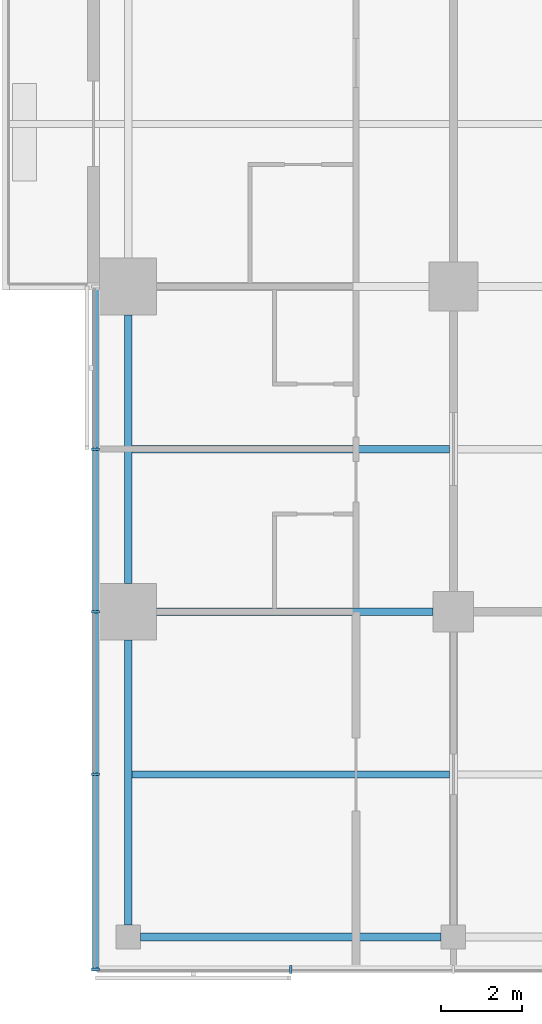
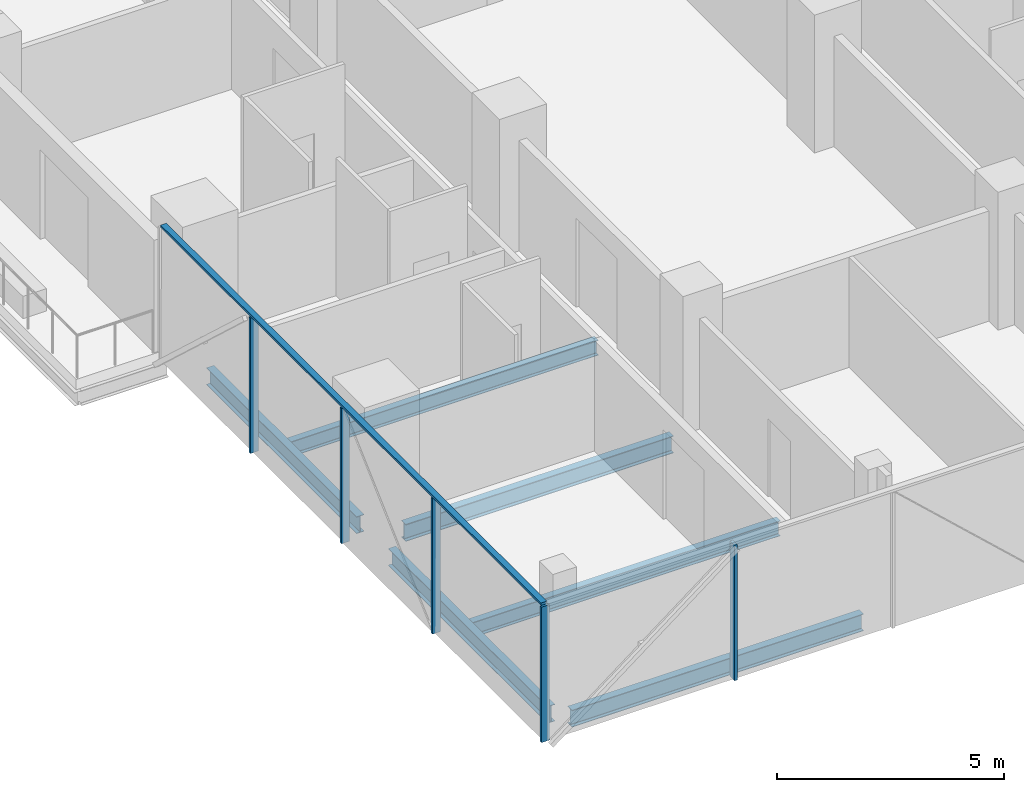
# One storey, part 2 of 27: 6 beams, 6 members, 2 elements without a shape of their own.
"""IFC4 building model written with IfcOpenShell, lengths in metres."""

from ifc_helpers import new_model, si_unit, direction, frame, origin, origin_2d, place, context, subcontext, project, spatial, rectangle, i_section, extrude, material, material_profile, profile_set, type_object, element, aggregate, save


model = new_model("IFC4")

# Units and contexts
model_context = context("Model", 3, precision=1e-05, world=origin(), true_north=direction((0.0, 1.0)))
body_context = subcontext(model_context, "Body", "Model", "MODEL_VIEW")
ifc_project = project(units=[si_unit("LENGTHUNIT", "METRE"), si_unit("AREAUNIT", "SQUARE_METRE"), si_unit("VOLUMEUNIT", "CUBIC_METRE"), si_unit("PLANEANGLEUNIT", "RADIAN"), si_unit("MASSUNIT", "GRAM", prefix="KILO")], contexts=[model_context])

# Site, building, storey
site_placement = place(None, origin())
site = spatial("IfcSite", under=ifc_project, at=site_placement, CompositionType="ELEMENT")
building_placement = place(site_placement, origin())
building = spatial("IfcBuilding", under=site, at=building_placement, Name="Crosswind Convention Tower", CompositionType="ELEMENT")
storey_placement = place(building_placement, frame((0.0, 0.0, 72.0)))
storey = spatial("IfcBuildingStorey", under=building, at=storey_placement, Name="L12", CompositionType="ELEMENT", Elevation=72.0)

# Beams
ifc_material_1 = material(Name="Steel S355", Category="steel")
ifc_material_profile_1 = material_profile(ifc_material_1, i_section(OverallWidth=0.1904296875, OverallDepth=0.457275390625, WebThickness=0.009033203125, FlangeThickness=0.014404296875, FilletRadius=0.01025390625, at=origin_2d()), Name="UB 457x191x75")
ifc_profile_set_1 = profile_set([ifc_material_profile_1], Name="Steel S355")
beam_type_1 = type_object("IfcBeamType", Name="Edge beam UB 457x191x75", PredefinedType="SPANDREL", material=ifc_profile_set_1)
beam_1_placement = place(storey_placement, frame((113.0, 64.300048828125, -0.508544921875), z_axis=(0.0, 1.0, 0.0), x_axis=(-1.0, 0.0, 0.0)))
element("IfcBeam", 1, at=beam_1_placement, inside=storey, type_object=beam_type_1, Name="B17 L12 edge beam 6", PredefinedType="SPANDREL", context=body_context, shape_type="SweptSolid", body=[
    extrude(i_section(OverallWidth=0.1904296875, OverallDepth=0.457275390625, WebThickness=0.009033203125, FlangeThickness=0.014404296875, FilletRadius=0.01025390625, at=origin_2d()), origin(), (0.0, 0.0, 1.0), 7.0),
])
beam_2_placement = place(storey_placement, frame((113.0, 72.699951171875, -0.508544921875), z_axis=(0.0, 1.0, 0.0), x_axis=(-1.0, 0.0, 0.0)))
element("IfcBeam", 2, at=beam_2_placement, inside=storey, type_object=beam_type_1, Name="B17 L12 edge beam 7", PredefinedType="SPANDREL", context=body_context, shape_type="SweptSolid", body=[
    extrude(i_section(OverallWidth=0.1904296875, OverallDepth=0.457275390625, WebThickness=0.009033203125, FlangeThickness=0.014404296875, FilletRadius=0.01025390625, at=origin_2d()), origin(), (0.0, 0.0, 1.0), 6.60009765625),
])
beam_3_placement = place(storey_placement, frame((113.300048828125, 64.0, -0.508544921875), z_axis=(1.0, 0.0, 0.0), x_axis=(0.0, 1.0, 0.0)))
element("IfcBeam", 3, at=beam_3_placement, inside=storey, type_object=beam_type_1, Name="B17 L12 edge beam 12", PredefinedType="SPANDREL", context=body_context, shape_type="SweptSolid", body=[
    extrude(i_section(OverallWidth=0.1904296875, OverallDepth=0.457275390625, WebThickness=0.009033203125, FlangeThickness=0.014404296875, FilletRadius=0.01025390625, at=origin_2d()), origin(), (0.0, 0.0, 1.0), 7.39990234375),
])
ifc_material_profile_2 = material_profile(ifc_material_1, i_section(OverallWidth=0.19140625, OverallDepth=0.460205078125, WebThickness=0.010009765625, FlangeThickness=0.01611328125, FilletRadius=0.01025390625, at=origin_2d()), Name="UB 457x191x82")
ifc_profile_set_2 = profile_set([ifc_material_profile_2], Name="Steel S355")
beam_type_2 = type_object("IfcBeamType", Name="Girder UB 457x191x82", PredefinedType="BEAM", material=ifc_profile_set_2)
beam_4_placement = place(storey_placement, frame((113.699951171875, 72.0, -0.510009765625), z_axis=(1.0, 0.0, 0.0), x_axis=(0.0, 1.0, 0.0)))
element("IfcBeam", 4, at=beam_4_placement, inside=storey, type_object=beam_type_2, Name="B3 L12 girder 1", PredefinedType="BEAM", context=body_context, shape_type="SweptSolid", body=[
    extrude(i_section(OverallWidth=0.19140625, OverallDepth=0.460205078125, WebThickness=0.010009765625, FlangeThickness=0.01611328125, FilletRadius=0.01025390625, at=origin_2d()), origin(), (0.0, 0.0, 1.0), 6.800048828125),
])

# Curtain wall, members
ifc_material_2 = material(Name="Aluminium unitised curtain wall", Category="aluminium")
curtain_wall_type = type_object("IfcCurtainWallType", Name="HOTEL UNITISED WALL 200", PredefinedType="USERDEFINED", material=ifc_material_2)
curtain_wall_1_placement = place(storey_placement, origin())
curtain_wall_1 = element("IfcCurtainWall", 5, at=curtain_wall_1_placement, inside=storey, type_object=curtain_wall_type, Name="CW2 L12 S-W 1", ObjectType="UNITISED", PredefinedType="USERDEFINED")
ifc_material_3 = material(Name="Aluminium mullion", Category="aluminium")
ifc_material_profile_3 = material_profile(ifc_material_3, rectangle(XDim=0.199951171875, YDim=0.06494140625, at=origin_2d()), Name="AL 200X65")
ifc_profile_set_3 = profile_set([ifc_material_profile_3], Name="Aluminium mullion")
member_type_1 = type_object("IfcMemberType", Name="MULLION 65X200", PredefinedType="MULLION", material=ifc_profile_set_3)
member_1_placement = place(storey_placement, frame((112.199951171875, 76.0, -0.280029296875), z_axis=(0.0, 0.0, 1.0), x_axis=(-1.0, 0.0, 0.0)))
member_1 = element("IfcMember", 6, at=member_1_placement, type_object=member_type_1, Name="CW2 mullion 2", PredefinedType="MULLION", context=body_context, shape_type="SweptSolid", body=[
    extrude(rectangle(XDim=0.199951171875, YDim=0.06494140625, at=origin_2d()), origin(), (0.0, 0.0, 1.0), 3.635009765625),
])
member_2_placement = place(storey_placement, frame((112.199951171875, 72.0, -0.280029296875), z_axis=(0.0, 0.0, 1.0), x_axis=(-1.0, 0.0, 0.0)))
member_2 = element("IfcMember", 7, at=member_2_placement, type_object=member_type_1, Name="CW2 mullion 3", PredefinedType="MULLION", context=body_context, shape_type="SweptSolid", body=[
    extrude(rectangle(XDim=0.199951171875, YDim=0.06494140625, at=origin_2d()), origin(), (0.0, 0.0, 1.0), 3.635009765625),
])
member_3_placement = place(storey_placement, frame((112.199951171875, 68.0, -0.280029296875), z_axis=(0.0, 0.0, 1.0), x_axis=(-1.0, 0.0, 0.0)))
member_3 = element("IfcMember", 8, at=member_3_placement, type_object=member_type_1, Name="CW2 mullion 4", PredefinedType="MULLION", context=body_context, shape_type="SweptSolid", body=[
    extrude(rectangle(XDim=0.199951171875, YDim=0.06494140625, at=origin_2d()), origin(), (0.0, 0.0, 1.0), 3.635009765625),
])
member_4_placement = place(storey_placement, frame((112.199951171875, 63.199951171875, -0.280029296875), z_axis=(0.0, 0.0, 1.0), x_axis=(-1.0, 0.0, 0.0)))
member_4 = element("IfcMember", 9, at=member_4_placement, type_object=member_type_1, Name="CW2 mullion 5", PredefinedType="MULLION", context=body_context, shape_type="SweptSolid", body=[
    extrude(rectangle(XDim=0.199951171875, YDim=0.06494140625, at=origin_2d()), origin(), (0.0, 0.0, 1.0), 3.635009765625),
])

# Curtain wall, member
curtain_wall_2_placement = place(storey_placement, origin())
curtain_wall_2 = element("IfcCurtainWall", 10, at=curtain_wall_2_placement, inside=storey, type_object=curtain_wall_type, Name="CW2 L12 S-TIP 1", ObjectType="UNITISED", PredefinedType="USERDEFINED")
member_5_placement = place(storey_placement, frame((117.0, 63.199951171875, -0.280029296875), z_axis=(0.0, 0.0, 1.0), x_axis=(0.0, -1.0, 0.0)))
member_5 = element("IfcMember", 11, at=member_5_placement, type_object=member_type_1, Name="CW2 mullion 2", PredefinedType="MULLION", context=body_context, shape_type="SweptSolid", body=[
    extrude(rectangle(XDim=0.199951171875, YDim=0.06494140625, at=origin_2d()), origin(), (0.0, 0.0, 1.0), 3.635009765625),
])
aggregate(curtain_wall_2, [member_5])

# Beams
ifc_material_profile_4 = material_profile(ifc_material_1, i_section(OverallWidth=0.177734375, OverallDepth=0.406494140625, WebThickness=0.0078125, FlangeThickness=0.0126953125, FilletRadius=0.01025390625, at=origin_2d()), Name="UB 406x178x60")
ifc_profile_set_4 = profile_set([ifc_material_profile_4], Name="Steel S355")
beam_type_3 = type_object("IfcBeamType", Name="Secondary beam UB 406x178x60", PredefinedType="JOIST", material=ifc_profile_set_4)
for number, where, z_axis, x_axis, name in (
    (12, (113.09521484375, 68.0, -0.483154296875), (1.0, 0.0, 0.0), (0.0, 1.0, 0.0), "B10 L12 secondary beam 7"),
    (13, (113.09521484375, 76.0, -0.483154296875), (1.0, 0.0, 0.0), (0.0, 1.0, 0.0), "B10 L12 secondary beam 8"),
):
    element("IfcBeam", number, at=place(storey_placement, frame(where, z_axis=z_axis, x_axis=x_axis)), inside=storey, type_object=beam_type_3, Name=name, PredefinedType="JOIST", context=body_context, shape_type="SweptSolid", body=[
        extrude(i_section(OverallWidth=0.177734375, OverallDepth=0.406494140625, WebThickness=0.0078125, FlangeThickness=0.0126953125, FilletRadius=0.01025390625, at=origin_2d()), origin(), (0.0, 0.0, 1.0), 7.80908203125),
    ])

# Member
ifc_material_4 = material(Name="Aluminium transom", Category="aluminium")
ifc_material_profile_5 = material_profile(ifc_material_4, rectangle(XDim=0.14990234375, YDim=0.06494140625, at=origin_2d()), Name="AL 150X65")
ifc_profile_set_5 = profile_set([ifc_material_profile_5], Name="Aluminium transom")
member_type_2 = type_object("IfcMemberType", Name="TRANSOM 65X150", PredefinedType="USERDEFINED", material=ifc_profile_set_5)
member_6_placement = place(storey_placement, frame((112.199951171875, 79.967529296875, 3.387451171875), z_axis=(0.0, -1.0, 0.0), x_axis=(1.0, 0.0, 0.0)))
member_6 = element("IfcMember", 14, at=member_6_placement, type_object=member_type_2, Name="CW2 transom", ObjectType="TRANSOM", PredefinedType="USERDEFINED", context=body_context, shape_type="SweptSolid", body=[
    extrude(rectangle(XDim=0.14990234375, YDim=0.06494140625, at=origin_2d()), origin(), (0.0, 0.0, 1.0), 16.735107421875),
])

aggregate(curtain_wall_1, [member_1, member_2, member_3, member_4, member_6])

save(model, "model.ifc")
